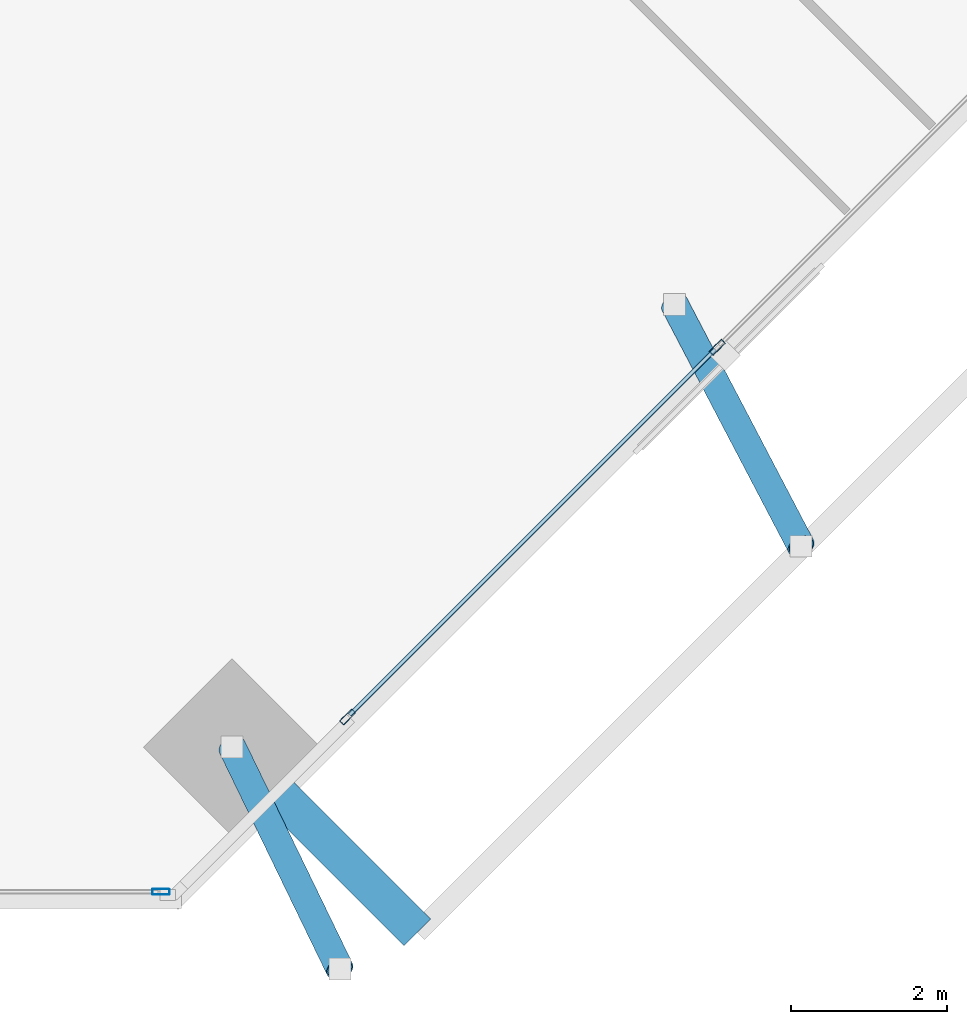
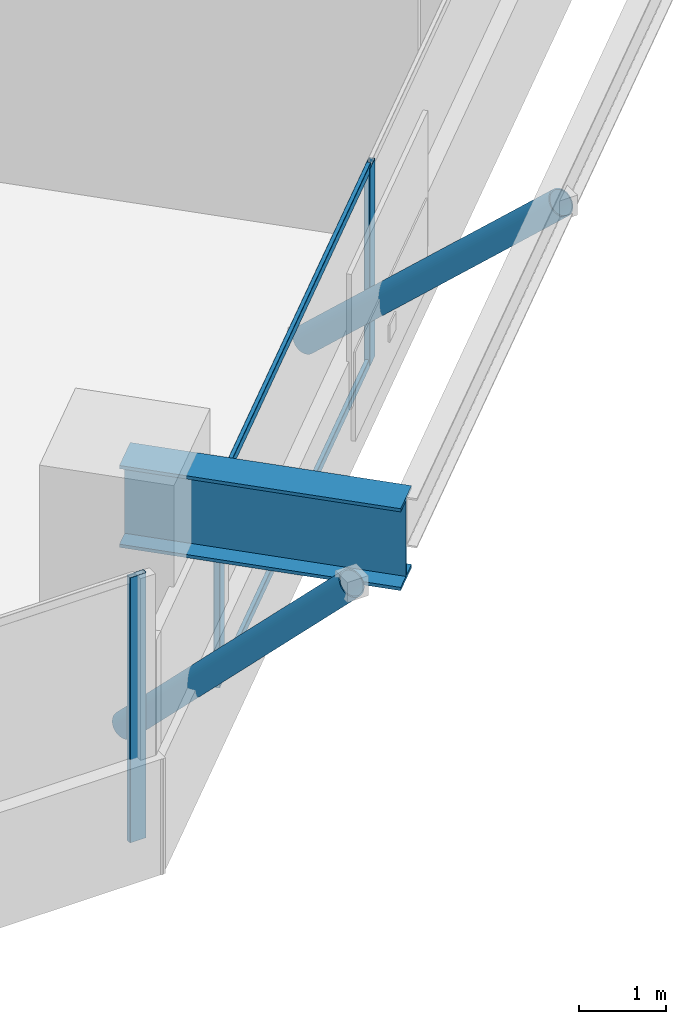
# One storey, part 5 of 17: 7 members, 1 beam, 2 elements without a shape of their own.
"""IFC4 building model written with IfcOpenShell, lengths in metres."""

from ifc_helpers import new_model, si_unit, direction, frame, origin, origin_2d, place, context, subcontext, project, spatial, hollow_rectangle, hollow_circle, i_section, extrude, source, transform, mapped, material, material_profile, profile_set, type_object, element, aggregate, save


model = new_model("IFC4")

# Units and contexts
model_context = context("Model", 3, precision=1e-05, world=origin(), true_north=direction((0.0, 1.0)))
body_context = subcontext(model_context, "Body", "Model", "MODEL_VIEW")
ifc_project = project(units=[si_unit("LENGTHUNIT", "METRE"), si_unit("AREAUNIT", "SQUARE_METRE"), si_unit("VOLUMEUNIT", "CUBIC_METRE"), si_unit("PLANEANGLEUNIT", "RADIAN"), si_unit("MASSUNIT", "GRAM", prefix="KILO")], contexts=[model_context])

# Site, building, storey
site_placement = place(None, origin())
site = spatial("IfcSite", under=ifc_project, at=site_placement, CompositionType="ELEMENT")
building_placement = place(site_placement, origin())
building = spatial("IfcBuilding", under=site, at=building_placement, Name="Torre Montelarca", CompositionType="ELEMENT")
storey_placement = place(building_placement, frame((0.0, 0.0, 250.0)))
storey = spatial("IfcBuildingStorey", under=building, at=storey_placement, Name="L56", CompositionType="ELEMENT", Elevation=250.0)

# Members
ifc_material_1 = material(Name="Steel ASTM A500 Grade C", Category="steel")
ifc_material_profile_1 = material_profile(ifc_material_1, hollow_circle(Radius=0.177734375, WallThickness=0.015869140625, at=origin_2d()), Name="HSS355.6X15.9", Category="steel")
ifc_profile_set_1 = profile_set([ifc_material_profile_1], Name="Steel ASTM A500 Grade C")
member_type_1 = type_object("IfcMemberType", Name="MB-BR-CHS356-EXT", PredefinedType="BRACE", material=ifc_profile_set_1)
shared_shape_1 = source(origin(), body_context, "Body", "SweptSolid", [
    extrude(hollow_circle(Radius=0.177734375, WallThickness=0.015869140625, at=origin_2d()), origin(), (0.0, 0.0, 1.0), 4.516845703125),
])
member_1_placement = place(storey_placement, frame((30.3388671875, 11.847412109375, 0.14990234375), z_axis=(0.304573720107, -0.627902911533, 0.716221182812), x_axis=(0.899737622213, 0.436431221586, 0.0)))
element("IfcMember", 1, at=member_1_placement, inside=storey, type_object=member_type_1, Name="L57 Sliding Tray Exterior Diagonal Raker Strut E1", PredefinedType="BRACE", context=body_context, shape_type="MappedRepresentation", body=[
    mapped(shared_shape_1, transform((0.0, 0.0, 0.0), scale=1.0)),
])
shared_shape_2 = source(origin(), body_context, "Body", "SweptSolid", [
    extrude(hollow_circle(Radius=0.177734375, WallThickness=0.015869140625, at=origin_2d()), origin(), (0.0, 0.0, 1.0), 4.755859375),
])
member_2_placement = place(storey_placement, frame((35.99560546875, 17.50439453125, 0.14990234375), z_axis=(0.340032789502, -0.649368174396, 0.680219579361), x_axis=(0.885894580096, 0.463886616487, 0.0)))
element("IfcMember", 2, at=member_2_placement, inside=storey, type_object=member_type_1, Name="L57 Sliding Tray Exterior Diagonal Raker Strut E2", PredefinedType="BRACE", context=body_context, shape_type="MappedRepresentation", body=[
    mapped(shared_shape_2, transform((0.0, 0.0, 0.0), scale=1.0)),
])

# Beam
ifc_material_2 = material(Name="Steel ASTM A572 Grade 50", Category="steel")
ifc_material_profile_2 = material_profile(ifc_material_2, i_section(OverallWidth=0.47998046875, OverallDepth=1.14990234375, WebThickness=0.02197265625, FlangeThickness=0.044921875, at=origin_2d()), Name="PG1150X480X22X45", Category="steel")
ifc_profile_set_2 = profile_set([ifc_material_profile_2], Name="Steel ASTM A572 Grade 50")
beam_type = type_object("IfcBeamType", Name="BM-CG-PG1400-EXT", PredefinedType="USERDEFINED", material=ifc_profile_set_2)
shared_shape_3 = source(origin(), body_context, "Body", "SweptSolid", [
    extrude(i_section(OverallWidth=0.47998046875, OverallDepth=1.14990234375, WebThickness=0.02197265625, FlangeThickness=0.044921875, at=origin_2d()), origin(), (0.0, 0.0, 1.0), 3.349853515625),
])
beam_placement = place(storey_placement, frame((30.3388671875, 11.847412109375, 3.385009765625), z_axis=(0.707070340836, -0.707143219659, 0.0), x_axis=(0.707143219659, 0.707070340836, 0.0)))
element("IfcBeam", 3, at=beam_placement, inside=storey, type_object=beam_type, Name="L56 Sliding Tray Cantilever Girder East Y=24m (FLR)", ObjectType="CANTILEVER GIRDER", PredefinedType="USERDEFINED", context=body_context, shape_type="MappedRepresentation", body=[
    mapped(shared_shape_3, transform((0.0, 0.0, 0.0), scale=1.0)),
])

# Curtain wall, member
ifc_material_3 = material(Name="Insulated low-E laminated glass", Category="glass")
curtain_wall_type = type_object("IfcCurtainWallType", Name="CW-SYS-Z3", PredefinedType="USERDEFINED", material=ifc_material_3)
curtain_wall_1_placement = place(storey_placement, origin())
curtain_wall_1 = element("IfcCurtainWall", 4, at=curtain_wall_1_placement, inside=storey, type_object=curtain_wall_type, Name="L56 Curtain Wall Run CW-T3-L56-E05-B1", ObjectType="UNITISED GLAZING", PredefinedType="USERDEFINED")
ifc_material_4 = material(Name="Anodised aluminium AA 6063-T6", Category="aluminium")
ifc_material_profile_3 = material_profile(ifc_material_4, hollow_rectangle(XDim=0.074951171875, YDim=0.219970703125, WallThickness=0.0048828125, InnerFilletRadius=0.0048828125, OuterFilletRadius=0.010009765625, at=origin_2d()), Name="ALU75X220X5", Category="aluminium")
ifc_profile_set_3 = profile_set([ifc_material_profile_3], Name="Anodised aluminium AA 6063-T6")
member_type_2 = type_object("IfcMemberType", Name="CWM-ALU220", PredefinedType="MULLION", material=ifc_profile_set_3)
shared_shape_4 = source(origin(), body_context, "Body", "SweptSolid", [
    extrude(hollow_rectangle(XDim=0.074951171875, YDim=0.219970703125, WallThickness=0.0048828125, InnerFilletRadius=0.0048828125, OuterFilletRadius=0.010009765625, at=origin_2d()), origin(), (0.0, 0.0, 1.0), 3.719970703125),
])
member_3_placement = place(storey_placement, frame((29.428466796875, 9.99755859375, 0.0), z_axis=(0.0, 0.0, 1.0), x_axis=(0.0, 1.0, 0.0)))
member_3 = element("IfcMember", 5, at=member_3_placement, type_object=member_type_2, Name="CW mullion 3", PredefinedType="MULLION", context=body_context, shape_type="MappedRepresentation", body=[
    mapped(shared_shape_4, transform((0.0, 0.0, 0.0), scale=1.0)),
])
aggregate(curtain_wall_1, [member_3])

# Curtain wall, members
curtain_wall_2_placement = place(storey_placement, origin())
curtain_wall_2 = element("IfcCurtainWall", 6, at=curtain_wall_2_placement, inside=storey, type_object=curtain_wall_type, Name="L56 Curtain Wall Run CW-T3-L56-E06-B1", ObjectType="UNITISED GLAZING", PredefinedType="USERDEFINED")
shared_shape_5 = source(origin(), body_context, "Body", "SweptSolid", [
    extrude(hollow_rectangle(XDim=0.074951171875, YDim=0.219970703125, WallThickness=0.0048828125, InnerFilletRadius=0.0048828125, OuterFilletRadius=0.010009765625, at=origin_2d()), origin(), (0.0, 0.0, 1.0), 2.77490234375),
])
member_4_placement = place(storey_placement, frame((31.81494140625, 12.234619140625, 0.0), z_axis=(0.0, 0.0, 1.0), x_axis=(-0.707106781187, 0.707106781187, 0.0)))
member_4 = element("IfcMember", 7, at=member_4_placement, type_object=member_type_2, Name="CW mullion 1", PredefinedType="MULLION", context=body_context, shape_type="MappedRepresentation", body=[
    mapped(shared_shape_5, transform((0.0, 0.0, 0.0), scale=1.0)),
])
member_5_placement = place(storey_placement, frame((36.5400390625, 16.9599609375, 0.0), z_axis=(0.0, 0.0, 1.0), x_axis=(-0.707106781187, 0.707106781187, 0.0)))
member_5 = element("IfcMember", 8, at=member_5_placement, type_object=member_type_2, Name="CW mullion 2", PredefinedType="MULLION", context=body_context, shape_type="MappedRepresentation", body=[
    mapped(shared_shape_5, transform((0.0, 0.0, 0.0), scale=1.0)),
])
ifc_material_profile_4 = material_profile(ifc_material_4, hollow_rectangle(XDim=0.054931640625, YDim=0.1201171875, WallThickness=0.00341796875, InnerFilletRadius=0.00341796875, OuterFilletRadius=0.007080078125, at=origin_2d()), Name="ALU55X120X3.5", Category="aluminium")
ifc_profile_set_4 = profile_set([ifc_material_profile_4], Name="Anodised aluminium AA 6063-T6")
member_type_3 = type_object("IfcMemberType", Name="CWT-ALU120", PredefinedType="USERDEFINED", material=ifc_profile_set_4)
shared_shape_6 = source(origin(), body_context, "Body", "SweptSolid", [
    extrude(hollow_rectangle(XDim=0.054931640625, YDim=0.1201171875, WallThickness=0.00341796875, InnerFilletRadius=0.00341796875, OuterFilletRadius=0.007080078125, at=origin_2d()), origin(), (0.0, 0.0, 1.0), 6.607421875),
])
member_6_placement = place(storey_placement, frame((31.841552734375, 12.26123046875, 0.027587890625), z_axis=(0.707106781187, 0.707106781187, 0.0), x_axis=(-0.707106781187, 0.707106781187, 0.0)))
member_6 = element("IfcMember", 9, at=member_6_placement, type_object=member_type_3, Name="CW transom 1.1", ObjectType="TRANSOM", PredefinedType="USERDEFINED", context=body_context, shape_type="MappedRepresentation", body=[
    mapped(shared_shape_6, transform((0.0, 0.0, 0.0), scale=1.0)),
])
member_7_placement = place(storey_placement, frame((31.841552734375, 12.26123046875, 2.74755859375), z_axis=(0.707106781187, 0.707106781187, 0.0), x_axis=(-0.707106781187, 0.707106781187, 0.0)))
member_7 = element("IfcMember", 10, at=member_7_placement, type_object=member_type_3, Name="CW transom 1.2", ObjectType="TRANSOM", PredefinedType="USERDEFINED", context=body_context, shape_type="MappedRepresentation", body=[
    mapped(shared_shape_6, transform((0.0, 0.0, 0.0), scale=1.0)),
])
aggregate(curtain_wall_2, [member_4, member_5, member_6, member_7])

save(model, "model.ifc")
